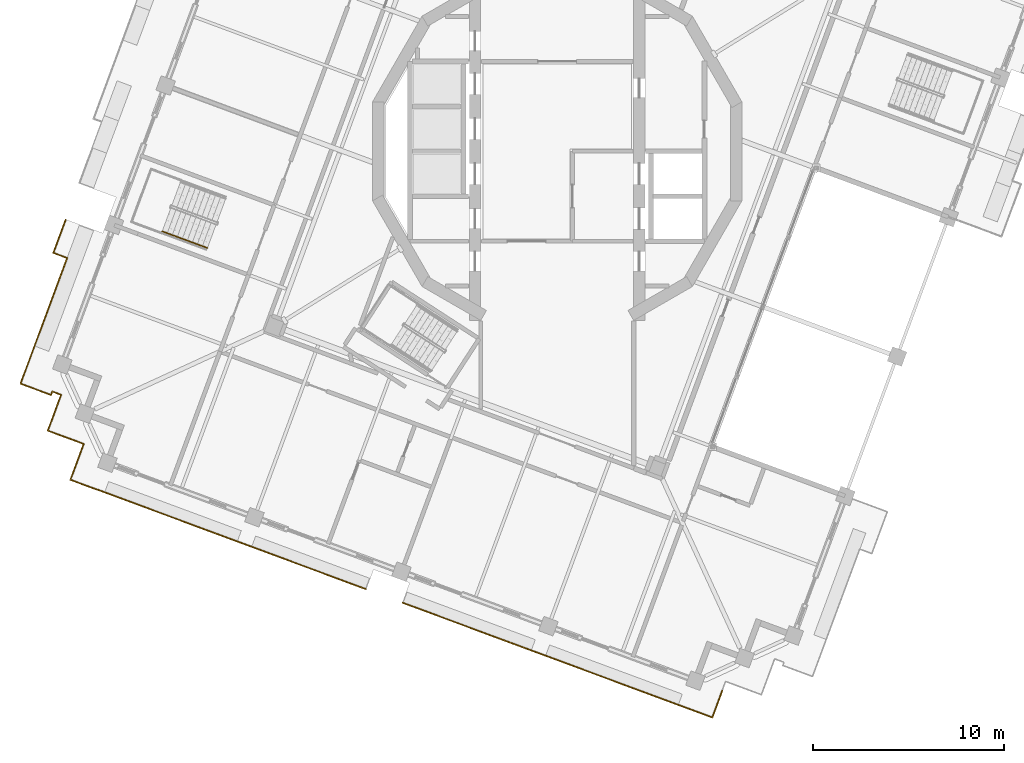
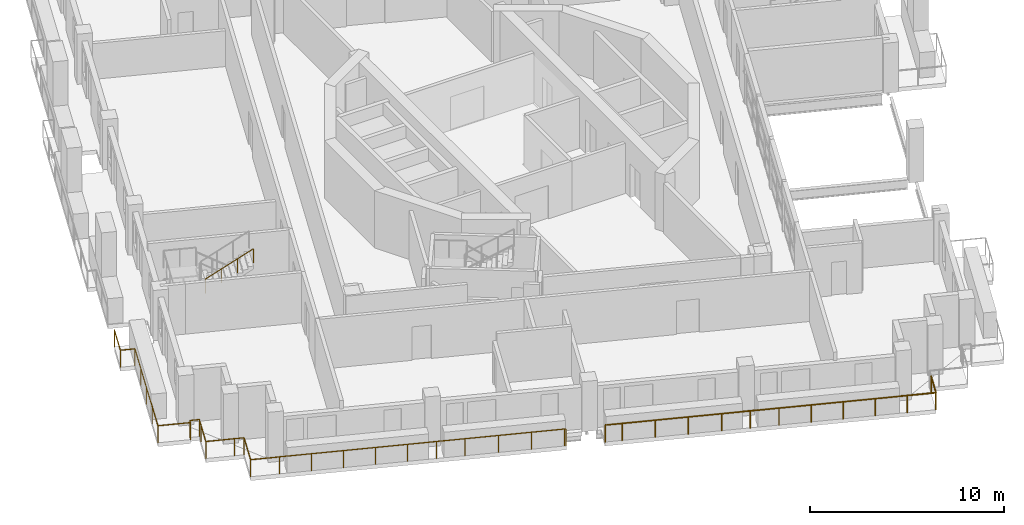
# One storey, part 12 of 19: 4 railings.
"""IFC4 building model written with IfcOpenShell, lengths in metres."""

from ifc_helpers import new_model, si_unit, direction, frame, origin, origin_2d, place, context, subcontext, project, spatial, circle, extrude, material, type_object, element, save


model = new_model("IFC4")

# Units and contexts
model_context = context("Model", 3, precision=1e-05, world=origin(), true_north=direction((0.0, 1.0)))
body_context = subcontext(model_context, "Body", "Model", "MODEL_VIEW")
ifc_project = project(units=[si_unit("LENGTHUNIT", "METRE"), si_unit("AREAUNIT", "SQUARE_METRE"), si_unit("VOLUMEUNIT", "CUBIC_METRE"), si_unit("PLANEANGLEUNIT", "RADIAN"), si_unit("MASSUNIT", "GRAM", prefix="KILO")], contexts=[model_context])

# Site, building, storey
site_placement = place(None, origin())
site = spatial("IfcSite", under=ifc_project, at=site_placement, CompositionType="ELEMENT")
building_placement = place(site_placement, origin())
building = spatial("IfcBuilding", under=site, at=building_placement, Name="Cantera Rosa Tower", CompositionType="ELEMENT")
storey_placement = place(building_placement, frame((0.0, 0.0, 342.10009765625)))
storey = spatial("IfcBuildingStorey", under=building, at=storey_placement, Name="L77", CompositionType="ELEMENT", Elevation=342.10009765625)

# Railings
ifc_material_1 = material(Name="Stainless steel and laminated glass", Category="steel")
railing_type_1 = type_object("IfcRailingType", Name="GUARD 1100", PredefinedType="BALUSTRADE", material=ifc_material_1)
railing_1_placement = place(storey_placement, frame((8.63623046875, -28.208740234375, 0.0)))
element("IfcRailing", 1, at=railing_1_placement, inside=storey, type_object=railing_type_1, Name="GUARD L77-1", PredefinedType="BALUSTRADE", context=body_context, shape_type="SweptSolid", body=[
    extrude(circle(Radius=0.030029296875, at=origin_2d()), frame((0.0, 0.0, 1.070068359375), z_axis=(-0.347499887537, -0.937680024402, 0.0), x_axis=(0.937680024402, -0.347499887537, 0.0)), (0.0, 0.0, 1.0), 1.5),
    extrude(circle(Radius=0.030029296875, at=origin_2d()), frame((-0.521240234375, -1.406494140625, 1.070068359375), z_axis=(-0.937680024402, 0.347499887537, 0.0), x_axis=(-0.347499887537, -0.937680024402, 0.0)), (0.0, 0.0, 1.0), 1.5),
    extrude(circle(Radius=0.030029296875, at=origin_2d()), frame((-1.927734375, -0.88525390625, 1.070068359375), z_axis=(-0.937686328856, 0.347482875373, 0.0), x_axis=(-0.347482875373, -0.937686328856, 0.0)), (0.0, 0.0, 1.0), 6.699951171875),
    extrude(circle(Radius=0.030029296875, at=origin_2d()), frame((-8.210205078125, 1.44287109375, 1.070068359375), z_axis=(-0.93768985062, 0.347473371704, 0.0), x_axis=(-0.347473371704, -0.93768985062, 0.0)), (0.0, 0.0, 1.0), 3.000244140625),
    extrude(circle(Radius=0.030029296875, at=origin_2d()), frame((-11.0234375, 2.4853515625, 1.070068359375), z_axis=(-0.937688147358, 0.347477968085, 0.0), x_axis=(-0.347477968085, -0.937688147358, 0.0)), (0.0, 0.0, 1.0), 5.199951171875),
    extrude(circle(Radius=0.030029296875, at=origin_2d()), frame((-15.8994140625, 4.292236328125, 1.070068359375), z_axis=(-0.937694580373, 0.347460607753, 0.0), x_axis=(-0.347460607753, -0.937694580373, 0.0)), (0.0, 0.0, 1.0), 0.869873046875),
    extrude(circle(Radius=0.02490234375, at=origin_2d()), origin(), (0.0, 0.0, 1.0), 1.0400390625),
    extrude(circle(Radius=0.02490234375, at=origin_2d()), frame((-0.521240234375, -1.406494140625, 0.0)), (0.0, 0.0, 1.0), 1.0400390625),
    extrude(circle(Radius=0.02490234375, at=origin_2d()), frame((-1.927734375, -0.88525390625, 0.0)), (0.0, 0.0, 1.0), 1.0400390625),
    extrude(circle(Radius=0.02490234375, at=origin_2d()), frame((-3.498291015625, -0.30322265625, 0.0)), (0.0, 0.0, 1.0), 1.0400390625),
    extrude(circle(Radius=0.02490234375, at=origin_2d()), frame((-5.06884765625, 0.27880859375, 0.0)), (0.0, 0.0, 1.0), 1.0400390625),
    extrude(circle(Radius=0.02490234375, at=origin_2d()), frame((-6.6396484375, 0.86083984375, 0.0)), (0.0, 0.0, 1.0), 1.0400390625),
    extrude(circle(Radius=0.02490234375, at=origin_2d()), frame((-8.210205078125, 1.44287109375, 0.0)), (0.0, 0.0, 1.0), 1.0400390625),
    extrude(circle(Radius=0.02490234375, at=origin_2d()), frame((-9.61669921875, 1.964111328125, 0.0)), (0.0, 0.0, 1.0), 1.0400390625),
    extrude(circle(Radius=0.02490234375, at=origin_2d()), frame((-11.0234375, 2.4853515625, 0.0)), (0.0, 0.0, 1.0), 1.0400390625),
    extrude(circle(Radius=0.02490234375, at=origin_2d()), frame((-12.648681640625, 3.087646484375, 0.0)), (0.0, 0.0, 1.0), 1.0400390625),
    extrude(circle(Radius=0.02490234375, at=origin_2d()), frame((-14.274169921875, 3.68994140625, 0.0)), (0.0, 0.0, 1.0), 1.0400390625),
    extrude(circle(Radius=0.02490234375, at=origin_2d()), frame((-15.8994140625, 4.292236328125, 0.0)), (0.0, 0.0, 1.0), 1.0400390625),
    extrude(circle(Radius=0.02490234375, at=origin_2d()), frame((-16.715087890625, 4.594482421875, 0.0)), (0.0, 0.0, 1.0), 1.0400390625),
])
railing_2_placement = place(storey_placement, frame((-26.120849609375, -13.19580078125, 0.0)))
element("IfcRailing", 2, at=railing_2_placement, inside=storey, type_object=railing_type_1, Name="GUARD L77-3", PredefinedType="BALUSTRADE", context=body_context, shape_type="SweptSolid", body=[
    extrude(circle(Radius=0.030029296875, at=origin_2d()), frame((0.0, 0.0, 1.070068359375), z_axis=(0.347314355824, 0.937748760724, 0.0), x_axis=(-0.937748760724, 0.347314355824, 0.0)), (0.0, 0.0, 1.0), 0.491943359375),
    extrude(circle(Radius=0.030029296875, at=origin_2d()), frame((0.1708984375, 0.46142578125, 1.070068359375), z_axis=(-0.93758708988, 0.347750555558, 0.0), x_axis=(-0.347750555558, -0.93758708988, 0.0)), (0.0, 0.0, 1.0), 0.4921875),
    extrude(circle(Radius=0.030029296875, at=origin_2d()), frame((-0.29052734375, 0.632568359375, 1.070068359375), z_axis=(-0.346941811727, -0.937886655879, 0.0), x_axis=(0.937886655879, -0.346941811727, 0.0)), (0.0, 0.0, 1.0), 0.192138671875),
    extrude(circle(Radius=0.030029296875, at=origin_2d()), frame((-0.357177734375, 0.452392578125, 1.070068359375), z_axis=(-0.937708907639, 0.347421940202, 0.0), x_axis=(-0.347421940202, -0.937708907639, 0.0)), (0.0, 0.0, 1.0), 1.699951171875),
    extrude(circle(Radius=0.030029296875, at=origin_2d()), frame((-1.951171875, 1.04296875, 1.070068359375), z_axis=(0.34747652556, 0.937688681912, 0.0), x_axis=(-0.937688681912, 0.34747652556, 0.0)), (0.0, 0.0, 1.0), 7.01123046875),
    extrude(circle(Radius=0.030029296875, at=origin_2d()), frame((0.485107421875, 7.617431640625, 1.070068359375), z_axis=(-0.937718113154, 0.347397093055, 0.0), x_axis=(-0.347397093055, -0.937718113154, 0.0)), (0.0, 0.0, 1.0), 0.768798828125),
    extrude(circle(Radius=0.030029296875, at=origin_2d()), frame((-0.23583984375, 7.884521484375, 1.070068359375), z_axis=(0.347483006941, 0.9376862801, 0.0), x_axis=(-0.9376862801, 0.347483006941, 0.0)), (0.0, 0.0, 1.0), 1.838623046875),
    extrude(circle(Radius=0.02490234375, at=origin_2d()), origin(), (0.0, 0.0, 1.0), 1.0400390625),
    extrude(circle(Radius=0.02490234375, at=origin_2d()), frame((0.1708984375, 0.46142578125, 0.0)), (0.0, 0.0, 1.0), 1.0400390625),
    extrude(circle(Radius=0.02490234375, at=origin_2d()), frame((-0.29052734375, 0.632568359375, 0.0)), (0.0, 0.0, 1.0), 1.0400390625),
    extrude(circle(Radius=0.02490234375, at=origin_2d()), frame((-0.357177734375, 0.452392578125, 0.0)), (0.0, 0.0, 1.0), 1.0400390625),
    extrude(circle(Radius=0.02490234375, at=origin_2d()), frame((-1.951171875, 1.04296875, 0.0)), (0.0, 0.0, 1.0), 1.0400390625),
    extrude(circle(Radius=0.02490234375, at=origin_2d()), frame((-1.342041015625, 2.6865234375, 0.0)), (0.0, 0.0, 1.0), 1.0400390625),
    extrude(circle(Radius=0.02490234375, at=origin_2d()), frame((-0.73291015625, 4.330078125, 0.0)), (0.0, 0.0, 1.0), 1.0400390625),
    extrude(circle(Radius=0.02490234375, at=origin_2d()), frame((-0.1240234375, 5.973876953125, 0.0)), (0.0, 0.0, 1.0), 1.0400390625),
    extrude(circle(Radius=0.02490234375, at=origin_2d()), frame((0.485107421875, 7.617431640625, 0.0)), (0.0, 0.0, 1.0), 1.0400390625),
    extrude(circle(Radius=0.02490234375, at=origin_2d()), frame((-0.23583984375, 7.884521484375, 0.0)), (0.0, 0.0, 1.0), 1.0400390625),
    extrude(circle(Radius=0.02490234375, at=origin_2d()), frame((0.403076171875, 9.608642578125, 0.0)), (0.0, 0.0, 1.0), 1.0400390625),
])
railing_3_placement = place(storey_placement, frame((-10.010498046875, -22.8984375, 0.0)))
element("IfcRailing", 3, at=railing_3_placement, inside=storey, type_object=railing_type_1, Name="GUARD L77-4", PredefinedType="BALUSTRADE", context=body_context, shape_type="SweptSolid", body=[
    extrude(circle(Radius=0.030029296875, at=origin_2d()), frame((0.0, 0.0, 1.070068359375), z_axis=(-0.937327749542, 0.348448977525, 0.0), x_axis=(-0.348448977525, -0.937327749542, 0.0)), (0.0, 0.0, 1.0), 0.070068359375),
    extrude(circle(Radius=0.030029296875, at=origin_2d()), frame((-0.065673828125, 0.0244140625, 1.070068359375), z_axis=(-0.937688147358, 0.347477968085, 0.0), x_axis=(-0.347477968085, -0.937688147358, 0.0)), (0.0, 0.0, 1.0), 5.199951171875),
    extrude(circle(Radius=0.030029296875, at=origin_2d()), frame((-4.941650390625, 1.831298828125, 1.070068359375), z_axis=(-0.937680024402, 0.347499887537, 0.0), x_axis=(-0.347499887537, -0.937680024402, 0.0)), (0.0, 0.0, 1.0), 3.0),
    extrude(circle(Radius=0.030029296875, at=origin_2d()), frame((-7.754638671875, 2.873779296875, 1.070068359375), z_axis=(-0.937686328856, 0.347482875373, 0.0), x_axis=(-0.347482875373, -0.937686328856, 0.0)), (0.0, 0.0, 1.0), 6.699951171875),
    extrude(circle(Radius=0.030029296875, at=origin_2d()), frame((-14.037109375, 5.201904296875, 1.070068359375), z_axis=(-0.360994102558, -0.932568098274, 0.0), x_axis=(0.932568098274, -0.360994102558, 0.0)), (0.0, 0.0, 1.0), 0.008056640625),
    extrude(circle(Radius=0.030029296875, at=origin_2d()), frame((-14.0400390625, 5.1943359375, 1.070068359375), z_axis=(-0.93763347607, 0.347625465916, 0.0), x_axis=(-0.347625465916, -0.93763347607, 0.0)), (0.0, 0.0, 1.0), 1.5078125),
    extrude(circle(Radius=0.030029296875, at=origin_2d()), frame((-15.453857421875, 5.718505859375, 1.070068359375), z_axis=(0.347441587487, 0.93770162807, 0.0), x_axis=(-0.93770162807, 0.347441587487, 0.0)), (0.0, 0.0, 1.0), 1.999755859375),
    extrude(circle(Radius=0.030029296875, at=origin_2d()), frame((-14.759033203125, 7.59375, 1.070068359375), z_axis=(-0.937748760724, 0.347314355824, 0.0), x_axis=(-0.347314355824, -0.937748760724, 0.0)), (0.0, 0.0, 1.0), 0.491943359375),
    extrude(circle(Radius=0.030029296875, at=origin_2d()), frame((-15.220458984375, 7.7646484375, 1.070068359375), z_axis=(-0.93763347607, 0.347625465916, 0.0), x_axis=(-0.347625465916, -0.93763347607, 0.0)), (0.0, 0.0, 1.0), 1.5078125),
    extrude(circle(Radius=0.030029296875, at=origin_2d()), frame((-16.63427734375, 8.288818359375, 1.070068359375), z_axis=(0.347483107742, 0.937686242746, 0.0), x_axis=(-0.937686242746, 0.347483107742, 0.0)), (0.0, 0.0, 1.0), 1.5078125),
    extrude(circle(Radius=0.02490234375, at=origin_2d()), origin(), (0.0, 0.0, 1.0), 1.0400390625),
    extrude(circle(Radius=0.02490234375, at=origin_2d()), frame((-0.065673828125, 0.0244140625, 0.0)), (0.0, 0.0, 1.0), 1.0400390625),
    extrude(circle(Radius=0.02490234375, at=origin_2d()), frame((-1.69091796875, 0.626708984375, 0.0)), (0.0, 0.0, 1.0), 1.0400390625),
    extrude(circle(Radius=0.02490234375, at=origin_2d()), frame((-3.31640625, 1.22900390625, 0.0)), (0.0, 0.0, 1.0), 1.0400390625),
    extrude(circle(Radius=0.02490234375, at=origin_2d()), frame((-4.941650390625, 1.831298828125, 0.0)), (0.0, 0.0, 1.0), 1.0400390625),
    extrude(circle(Radius=0.02490234375, at=origin_2d()), frame((-6.34814453125, 2.3525390625, 0.0)), (0.0, 0.0, 1.0), 1.0400390625),
    extrude(circle(Radius=0.02490234375, at=origin_2d()), frame((-7.754638671875, 2.873779296875, 0.0)), (0.0, 0.0, 1.0), 1.0400390625),
    extrude(circle(Radius=0.02490234375, at=origin_2d()), frame((-9.3251953125, 3.455810546875, 0.0)), (0.0, 0.0, 1.0), 1.0400390625),
    extrude(circle(Radius=0.02490234375, at=origin_2d()), frame((-10.89599609375, 4.037841796875, 0.0)), (0.0, 0.0, 1.0), 1.0400390625),
    extrude(circle(Radius=0.02490234375, at=origin_2d()), frame((-12.466552734375, 4.619873046875, 0.0)), (0.0, 0.0, 1.0), 1.0400390625),
    extrude(circle(Radius=0.02490234375, at=origin_2d()), frame((-14.037109375, 5.201904296875, 0.0)), (0.0, 0.0, 1.0), 1.0400390625),
    extrude(circle(Radius=0.02490234375, at=origin_2d()), frame((-14.0400390625, 5.1943359375, 0.0)), (0.0, 0.0, 1.0), 1.0400390625),
    extrude(circle(Radius=0.02490234375, at=origin_2d()), frame((-15.453857421875, 5.718505859375, 0.0)), (0.0, 0.0, 1.0), 1.0400390625),
    extrude(circle(Radius=0.02490234375, at=origin_2d()), frame((-14.759033203125, 7.59375, 0.0)), (0.0, 0.0, 1.0), 1.0400390625),
    extrude(circle(Radius=0.02490234375, at=origin_2d()), frame((-15.220458984375, 7.7646484375, 0.0)), (0.0, 0.0, 1.0), 1.0400390625),
    extrude(circle(Radius=0.02490234375, at=origin_2d()), frame((-16.63427734375, 8.288818359375, 0.0)), (0.0, 0.0, 1.0), 1.0400390625),
    extrude(circle(Radius=0.02490234375, at=origin_2d()), frame((-16.1103515625, 9.70263671875, 0.0)), (0.0, 0.0, 1.0), 1.0400390625),
])
ifc_material_2 = material(Name="Steel S355J2 (EN 10025-2)", Category="steel")
railing_type_2 = type_object("IfcRailingType", Name="STAIR HANDRAIL 900", PredefinedType="HANDRAIL", material=ifc_material_2)
railing_4_placement = place(storey_placement, frame((-20.660400390625, -4.181396484375, 1.97998046875)))
element("IfcRailing", 4, at=railing_4_placement, inside=storey, type_object=railing_type_2, Name="L77 ST-63 stair handrail 2", PredefinedType="HANDRAIL", context=body_context, shape_type="SweptSolid", body=[
    extrude(circle(Radius=0.02392578125, at=origin_2d()), frame((0.0, 0.0, 0.8759765625), z_axis=(0.78878233546, -0.292319685639, 0.540713998944), x_axis=(0.347500508527, 0.937679794265, 0.0)), (0.0, 0.0, 1.0), 2.995849609375),
    extrude(circle(Radius=0.02099609375, at=origin_2d()), origin(), (0.0, 0.0, 1.0), 0.851806640625),
    extrude(circle(Radius=0.02099609375, at=origin_2d()), frame((0.78759765625, -0.2919921875, 0.5400390625)), (0.0, 0.0, 1.0), 0.851806640625),
    extrude(circle(Radius=0.02099609375, at=origin_2d()), frame((1.575439453125, -0.583740234375, 1.079833984375)), (0.0, 0.0, 1.0), 0.851806640625),
    extrude(circle(Radius=0.02099609375, at=origin_2d()), frame((2.363037109375, -0.875732421875, 1.619873046875)), (0.0, 0.0, 1.0), 0.851806640625),
])

save(model, "model.ifc")
